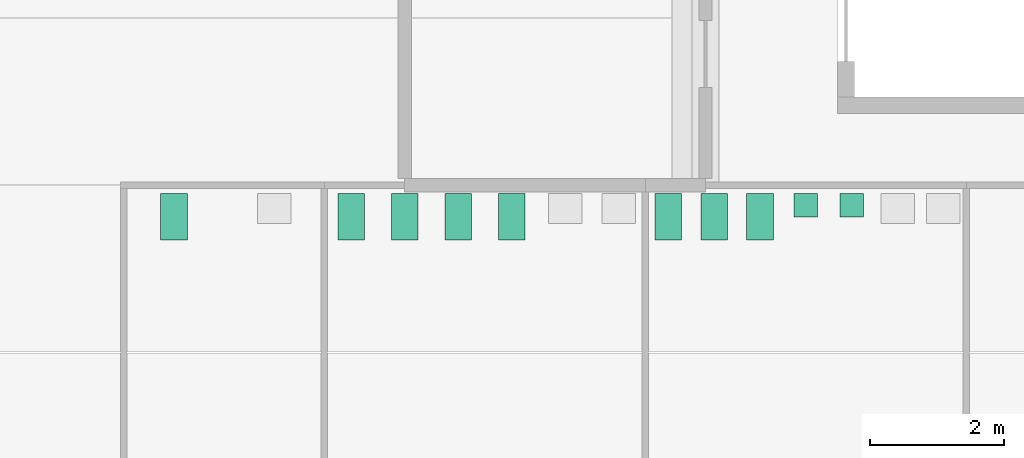
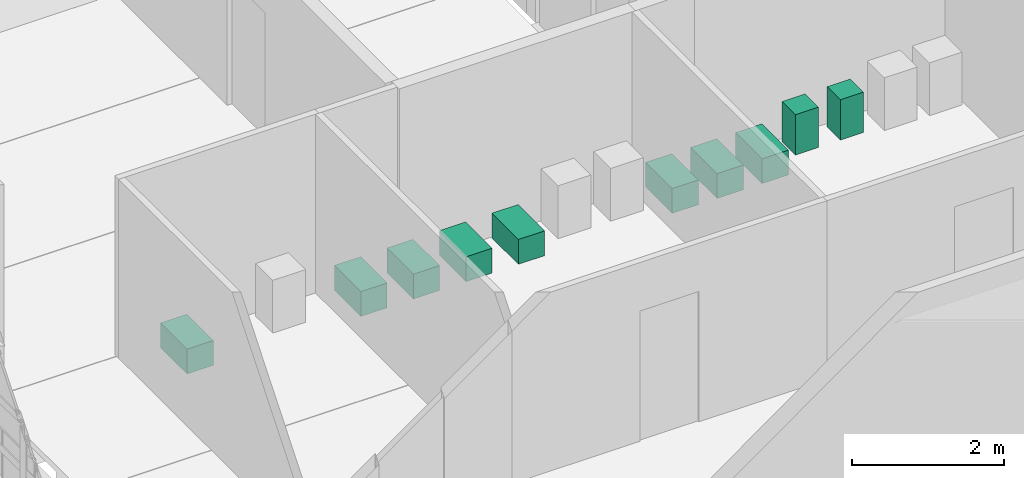
# One storey, part 71 of 71: 10 sanitary terminals.
"""IFC4 building model written with IfcOpenShell, lengths in metres."""

from ifc_helpers import new_model, si_unit, direction, frame, origin, origin_2d, place, context, subcontext, project, spatial, rectangle, extrude, material, type_object, element, save


model = new_model("IFC4")

# Units and contexts
model_context = context("Model", 3, precision=1e-05, world=origin(), true_north=direction((0.0, 1.0)))
body_context = subcontext(model_context, "Body", "Model", "MODEL_VIEW")
ifc_project = project(units=[si_unit("LENGTHUNIT", "METRE"), si_unit("AREAUNIT", "SQUARE_METRE"), si_unit("VOLUMEUNIT", "CUBIC_METRE"), si_unit("PLANEANGLEUNIT", "RADIAN"), si_unit("MASSUNIT", "GRAM", prefix="KILO")], contexts=[model_context])

# Site, building, storey
site_placement = place(None, origin())
site = spatial("IfcSite", under=ifc_project, at=site_placement, CompositionType="ELEMENT")
building_placement = place(site_placement, origin())
building = spatial("IfcBuilding", under=site, at=building_placement, Name="Cour d'Honneur Mobility Palace", CompositionType="ELEMENT")
storey_placement = place(building_placement, frame((0.0, 0.0, 15.60009765625)))
storey = spatial("IfcBuildingStorey", under=building, at=storey_placement, Name="L04", CompositionType="ELEMENT", Elevation=15.60009765625)

# Sanitary terminals
ifc_material_1 = material(Name="Vitreous china")
sanitary_terminal_type_1 = type_object("IfcSanitaryTerminalType", Name="Urinal", PredefinedType="URINAL", material=ifc_material_1)
for number, where, z_axis, x_axis, name in (
    (1, (157.5, 107.10498046875, 0.0), (0.0, 0.0, 1.0), (1.0, 0.0, 0.0), "Urinal WC Men East"),
    (2, (158.185791015625, 107.10498046875, 0.0), (0.0, 0.0, 1.0), (1.0, 0.0, 0.0), "Urinal WC Men East"),
):
    element("IfcSanitaryTerminal", number, at=place(storey_placement, frame(where, z_axis=z_axis, x_axis=x_axis)), inside=storey, type_object=sanitary_terminal_type_1, Name=name, PredefinedType="URINAL", context=body_context, shape_type="SweptSolid", body=[
        extrude(rectangle(XDim=0.35009765625, YDim=0.35009765625, at=origin_2d()), origin(), (0.0, 0.0, 1.0), 0.64990234375),
    ])
ifc_material_2 = material(Name="Vitreous china")
sanitary_terminal_type_2 = type_object("IfcSanitaryTerminalType", Name="Water closet", PredefinedType="WCSEAT", material=ifc_material_2)
for number, where, z_axis, x_axis, name in (
    (3, (155.44287109375, 106.929931640625, 0.0), (0.0, 0.0, 1.0), (1.0, 0.0, 0.0), "Water closet WC Men East"),
    (4, (156.128662109375, 106.929931640625, 0.0), (0.0, 0.0, 1.0), (1.0, 0.0, 0.0), "Water closet WC Men East"),
    (5, (156.814208984375, 106.929931640625, 0.0), (0.0, 0.0, 1.0), (1.0, 0.0, 0.0), "Water closet WC Men East"),
    (6, (150.699951171875, 106.929931640625, 0.0), (0.0, 0.0, 1.0), (1.0, 0.0, 0.0), "Water closet WC Women East"),
    (7, (151.5, 106.929931640625, 0.0), (0.0, 0.0, 1.0), (1.0, 0.0, 0.0), "Water closet WC Women East"),
    (8, (152.300048828125, 106.929931640625, 0.0), (0.0, 0.0, 1.0), (1.0, 0.0, 0.0), "Water closet WC Women East"),
    (9, (153.10009765625, 106.929931640625, 0.0), (0.0, 0.0, 1.0), (1.0, 0.0, 0.0), "Water closet WC Women East"),
    (10, (148.050048828125, 106.929931640625, 0.0), (0.0, 0.0, 1.0), (1.0, 0.0, 0.0), "Water closet Accessible WC East"),
):
    element("IfcSanitaryTerminal", number, at=place(storey_placement, frame(where, z_axis=z_axis, x_axis=x_axis)), inside=storey, type_object=sanitary_terminal_type_2, Name=name, PredefinedType="WCSEAT", context=body_context, shape_type="SweptSolid", body=[
        extrude(rectangle(XDim=0.39990234375, YDim=0.699951171875, at=origin_2d()), origin(), (0.0, 0.0, 1.0), 0.39990234375),
    ])

save(model, "model.ifc")
